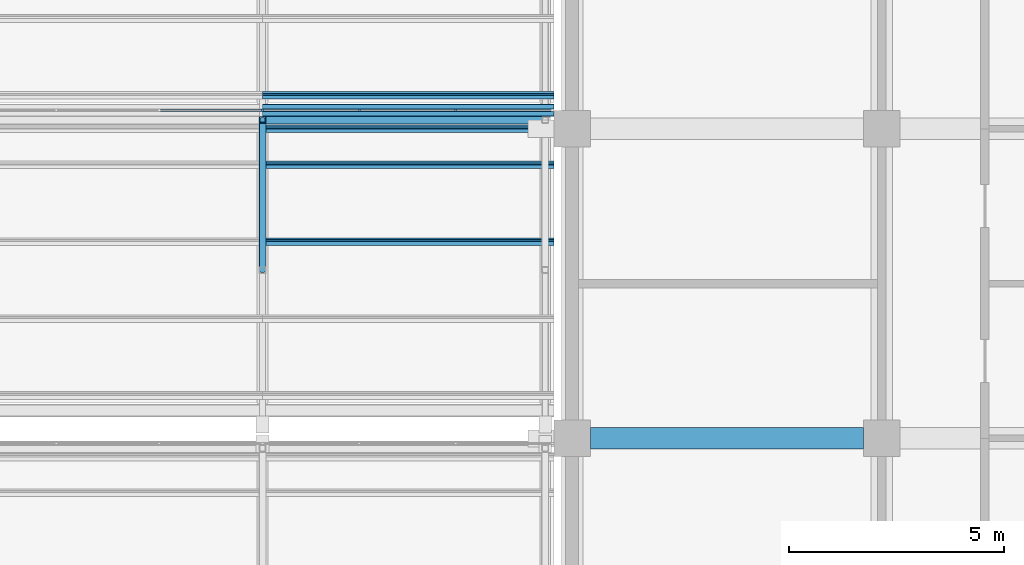
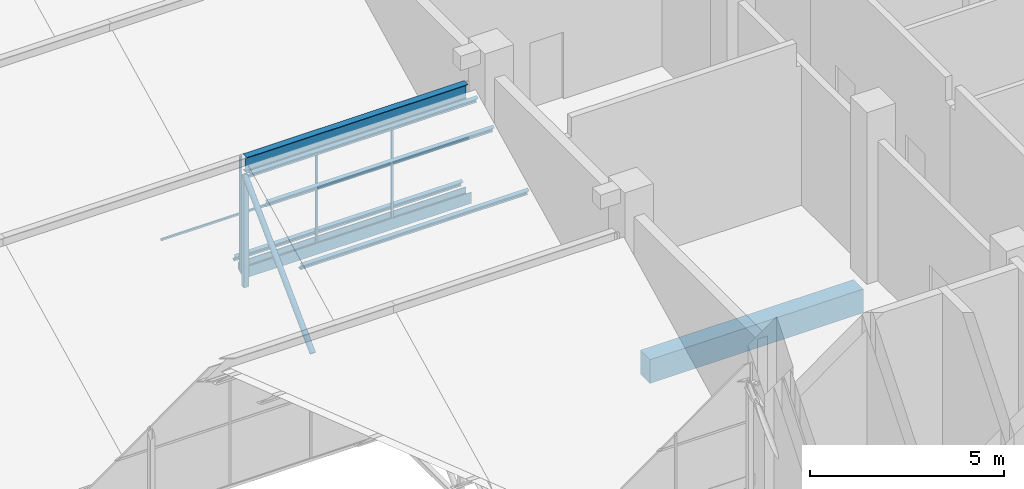
# One storey, part 52 of 83: 15 members, 1 beam, 2 elements without a shape of their own.
"""IFC4 building model written with IfcOpenShell, lengths in metres."""

from ifc_helpers import new_model, si_unit, direction, frame, origin, origin_2d, place, context, subcontext, project, spatial, polyline, rectangle, hollow_rectangle, hollow_circle, i_section, outline, extrude, material, material_profile, profile_set, type_object, element, aggregate, save


model = new_model("IFC4")

# Units and contexts
model_context = context("Model", 3, precision=1e-05, world=origin(), true_north=direction((0.0, 1.0)))
body_context = subcontext(model_context, "Body", "Model", "MODEL_VIEW")
ifc_project = project(units=[si_unit("LENGTHUNIT", "METRE"), si_unit("AREAUNIT", "SQUARE_METRE"), si_unit("VOLUMEUNIT", "CUBIC_METRE"), si_unit("PLANEANGLEUNIT", "RADIAN"), si_unit("MASSUNIT", "GRAM", prefix="KILO")], contexts=[model_context])

# Site, building, storey
site_placement = place(None, origin())
site = spatial("IfcSite", under=ifc_project, at=site_placement, CompositionType="ELEMENT")
building_placement = place(site_placement, origin())
building = spatial("IfcBuilding", under=site, at=building_placement, Name="Silangan Lancet Faculty of Sciences", CompositionType="ELEMENT")
storey_placement = place(building_placement, frame((0.0, 0.0, 11.39990234375)))
storey = spatial("IfcBuildingStorey", under=building, at=storey_placement, Name="L02", CompositionType="ELEMENT", Elevation=11.39990234375)

# Beam
ifc_material_1 = material(Name="Concrete C40/50", Category="concrete")
ifc_material_profile_1 = material_profile(ifc_material_1, rectangle(XDim=0.5, YDim=0.75, at=origin_2d()), Name="RC 500x750")
ifc_profile_set_1 = profile_set([ifc_material_profile_1], Name="Concrete C40/50")
beam_type = type_object("IfcBeamType", Name="BEAM RC 500x750", PredefinedType="BEAM", material=ifc_profile_set_1)
beam_placement = place(storey_placement, frame((72.425048828125, 36.0, -0.625), z_axis=(1.0, 0.0, 0.0), x_axis=(0.0, 1.0, 0.0)))
element("IfcBeam", 1, at=beam_placement, inside=storey, type_object=beam_type, Name="BM-L02-11F-12F", PredefinedType="BEAM", context=body_context, shape_type="SweptSolid", body=[
    extrude(rectangle(XDim=0.5, YDim=0.75, at=origin_2d()), origin(), (0.0, 0.0, 1.0), 6.349853515625),
])

# Member
ifc_material_2 = material(Name="Steel SS400", Category="steel")
ifc_material_profile_2 = material_profile(ifc_material_2, i_section(OverallWidth=0.199951171875, OverallDepth=0.5, WebThickness=0.010009765625, FlangeThickness=0.01611328125, FilletRadius=0.02001953125, at=origin_2d()), Name="H 500x200x10x16")
ifc_profile_set_2 = profile_set([ifc_material_profile_2], Name="Steel SS400")
member_type_1 = type_object("IfcMemberType", Name="Exposed ridge beam H 500x200x10x16", PredefinedType="MEMBER", material=ifc_profile_set_2)
member_1_placement = place(storey_placement, frame((64.800048828125, 43.40673828125, 3.942626953125), z_axis=(1.0, 0.0, 0.0), x_axis=(0.0, 1.0, 0.0)))
element("IfcMember", 2, at=member_1_placement, inside=storey, type_object=member_type_1, Name="Exposed ridge beam NAB-1-6", PredefinedType="MEMBER", context=body_context, shape_type="SweptSolid", body=[
    extrude(i_section(OverallWidth=0.199951171875, OverallDepth=0.5, WebThickness=0.010009765625, FlangeThickness=0.01611328125, FilletRadius=0.02001953125, at=origin_2d()), origin(), (0.0, 0.0, 1.0), 6.574951171875),
])

# Curtain wall, members
ifc_material_3 = material(Name="Aluminium and laminated glass", Category="aluminium")
curtain_wall_type = type_object("IfcCurtainWallType", Name="North light glazing system", PredefinedType="NOTDEFINED", material=ifc_material_3)
curtain_wall_1_placement = place(storey_placement, origin())
curtain_wall_1 = element("IfcCurtainWall", 3, at=curtain_wall_1_placement, inside=storey, type_object=curtain_wall_type, Name="North light glazing NAB-1-6", PredefinedType="NOTDEFINED")
ifc_material_4 = material(Name="Aluminium 6063-T6", Category="aluminium")
ifc_material_profile_3 = material_profile(ifc_material_4, rectangle(XDim=0.06005859375, YDim=0.050048828125, at=origin_2d()), Name="AL 60x50")
ifc_profile_set_3 = profile_set([ifc_material_profile_3], Name="Aluminium 6063-T6")
member_type_2 = type_object("IfcMemberType", Name="North light mullion 60x50", PredefinedType="MULLION", material=ifc_profile_set_3)
member_2_placement = place(storey_placement, frame((64.800048828125, 43.631591796875, 0.4423828125), z_axis=(0.0, 0.0, 1.0), x_axis=(1.0, 0.0, 0.0)))
member_2 = element("IfcMember", 4, at=member_2_placement, type_object=member_type_2, Name="North light mullion NAB-1-6 1", PredefinedType="MULLION", context=body_context, shape_type="SweptSolid", body=[
    extrude(rectangle(XDim=0.06005859375, YDim=0.050048828125, at=origin_2d()), origin(), (0.0, 0.0, 1.0), 3.60595703125),
])
member_3_placement = place(storey_placement, frame((67.04833984375, 43.631591796875, 0.4423828125), z_axis=(0.0, 0.0, 1.0), x_axis=(1.0, 0.0, 0.0)))
member_3 = element("IfcMember", 5, at=member_3_placement, type_object=member_type_2, Name="North light mullion NAB-1-6 2", PredefinedType="MULLION", context=body_context, shape_type="SweptSolid", body=[
    extrude(rectangle(XDim=0.06005859375, YDim=0.050048828125, at=origin_2d()), origin(), (0.0, 0.0, 1.0), 3.60595703125),
])
member_4_placement = place(storey_placement, frame((69.296630859375, 43.631591796875, 0.4423828125), z_axis=(0.0, 0.0, 1.0), x_axis=(1.0, 0.0, 0.0)))
member_4 = element("IfcMember", 6, at=member_4_placement, type_object=member_type_2, Name="North light mullion NAB-1-6 3", PredefinedType="MULLION", context=body_context, shape_type="SweptSolid", body=[
    extrude(rectangle(XDim=0.06005859375, YDim=0.050048828125, at=origin_2d()), origin(), (0.0, 0.0, 1.0), 3.60595703125),
])

# Curtain wall, member
curtain_wall_2_placement = place(storey_placement, origin())
curtain_wall_2 = element("IfcCurtainWall", 7, at=curtain_wall_2_placement, inside=storey, type_object=curtain_wall_type, Name="North light glazing NAB-1-5", PredefinedType="NOTDEFINED")
ifc_material_5 = material(Name="Aluminium 6063-T6", Category="aluminium")
ifc_material_profile_4 = material_profile(ifc_material_5, rectangle(XDim=0.050048828125, YDim=0.06005859375, at=origin_2d()), Name="AL 50x60")
ifc_profile_set_4 = profile_set([ifc_material_profile_4], Name="Aluminium 6063-T6")
member_type_3 = type_object("IfcMemberType", Name="North light transom 50x60", PredefinedType="USERDEFINED", material=ifc_profile_set_4)
member_5_placement = place(storey_placement, frame((62.429931640625, 43.631591796875, 2.245361328125), z_axis=(1.0, 0.0, 0.0), x_axis=(0.0, 1.0, 0.0)))
member_5 = element("IfcMember", 8, at=member_5_placement, type_object=member_type_3, Name="North light transom NAB-1-5 3", ObjectType="TRANSOM", PredefinedType="USERDEFINED", context=body_context, shape_type="SweptSolid", body=[
    extrude(rectangle(XDim=0.050048828125, YDim=0.06005859375, at=origin_2d()), origin(), (0.0, 0.0, 1.0), 2.340087890625),
])
aggregate(curtain_wall_2, [member_5])

# Member
member_6_placement = place(storey_placement, frame((64.830078125, 43.631591796875, 2.245361328125), z_axis=(1.0, 0.0, 0.0), x_axis=(0.0, 1.0, 0.0)))
member_6 = element("IfcMember", 9, at=member_6_placement, type_object=member_type_3, Name="North light transom NAB-1-6 1", ObjectType="TRANSOM", PredefinedType="USERDEFINED", context=body_context, shape_type="SweptSolid", body=[
    extrude(rectangle(XDim=0.050048828125, YDim=0.06005859375, at=origin_2d()), origin(), (0.0, 0.0, 1.0), 2.188232421875),
])

member_7_placement = place(storey_placement, frame((67.078369140625, 43.631591796875, 2.245361328125), z_axis=(1.0, 0.0, 0.0), x_axis=(0.0, 1.0, 0.0)))
member_7 = element("IfcMember", 10, at=member_7_placement, type_object=member_type_3, Name="North light transom NAB-1-6 2", ObjectType="TRANSOM", PredefinedType="USERDEFINED", context=body_context, shape_type="SweptSolid", body=[
    extrude(rectangle(XDim=0.050048828125, YDim=0.06005859375, at=origin_2d()), origin(), (0.0, 0.0, 1.0), 2.188232421875),
])

member_8_placement = place(storey_placement, frame((69.32666015625, 43.631591796875, 2.245361328125), z_axis=(1.0, 0.0, 0.0), x_axis=(0.0, 1.0, 0.0)))
member_8 = element("IfcMember", 11, at=member_8_placement, type_object=member_type_3, Name="North light transom NAB-1-6 3", ObjectType="TRANSOM", PredefinedType="USERDEFINED", context=body_context, shape_type="SweptSolid", body=[
    extrude(rectangle(XDim=0.050048828125, YDim=0.06005859375, at=origin_2d()), origin(), (0.0, 0.0, 1.0), 2.248291015625),
])

aggregate(curtain_wall_1, [member_2, member_3, member_4, member_6, member_7, member_8])

# Members
ifc_material_6 = material(Name="Steel SS400", Category="steel")
ifc_material_profile_5 = material_profile(ifc_material_6, i_section(OverallWidth=0.10009765625, OverallDepth=0.199951171875, WebThickness=0.005615234375, FlangeThickness=0.008056640625, FilletRadius=0.008056640625, at=origin_2d()), Name="H 200x100x5.5x8")
ifc_profile_set_5 = profile_set([ifc_material_profile_5], Name="Steel SS400")
member_type_4 = type_object("IfcMemberType", Name="Sheeting purlin H 200x100x5.5x8", PredefinedType="PURLIN", material=ifc_profile_set_5)
for number, where, z_axis, x_axis, name in (
    (12, (64.800048828125, 40.572998046875, 2.420654296875), (1.0, 0.0, 0.0), (0.0, 0.894427192382, 0.447213592736), "Sheeting purlin NAB-1-6 3"),
    (13, (64.800048828125, 42.36181640625, 3.31494140625), (1.0, 0.0, 0.0), (0.0, 0.894427192382, 0.447213592736), "Sheeting purlin NAB-1-6 4"),
    (14, (64.800048828125, 43.19873046875, 3.7333984375), (1.0, 0.0, 0.0), (0.0, 0.894427192382, 0.447213592736), "Sheeting purlin NAB-1-6 5"),
    (15, (64.800048828125, 43.976806640625, 0.6318359375), (1.0, 0.0, 0.0), (0.0, 0.894427192382, 0.447213592736), "Sheeting purlin NAB-2-6 1"),
):
    element("IfcMember", number, at=place(storey_placement, frame(where, z_axis=z_axis, x_axis=x_axis)), inside=storey, type_object=member_type_4, Name=name, PredefinedType="PURLIN", context=body_context, shape_type="SweptSolid", body=[
        extrude(i_section(OverallWidth=0.10009765625, OverallDepth=0.199951171875, WebThickness=0.005615234375, FlangeThickness=0.008056640625, FilletRadius=0.008056640625, at=origin_2d()), origin(), (0.0, 0.0, 1.0), 6.77490234375),
    ])
ifc_material_7 = material(Name="Steel STK400", Category="steel")
ifc_material_profile_6 = material_profile(ifc_material_7, hollow_circle(Radius=0.08251953125, WallThickness=0.0048828125, at=origin_2d()), Name="CHS 165.2x5.0")
ifc_profile_set_6 = profile_set([ifc_material_profile_6], Name="Steel STK400")
member_type_5 = type_object("IfcMemberType", Name="Truss diagonal CHS 165.2x5.0", PredefinedType="BRACE", material=ifc_profile_set_6)
member_9_placement = place(storey_placement, frame((64.800048828125, 39.915771484375, 0.09521484375), z_axis=(0.0, 0.707131507361, 0.707082054147), x_axis=(-1.0, 0.0, 0.0)))
element("IfcMember", 16, at=member_9_placement, inside=storey, type_object=member_type_5, Name="Truss 6 diagonal 1", PredefinedType="BRACE", context=body_context, shape_type="SweptSolid", body=[
    extrude(hollow_circle(Radius=0.08251953125, WallThickness=0.0048828125, at=origin_2d()), origin(), (0.0, 0.0, 1.0), 4.936767578125),
])
ifc_material_8 = material(Name="Steel STKR400", Category="steel")
ifc_material_profile_7 = material_profile(ifc_material_8, hollow_rectangle(XDim=0.14990234375, YDim=0.14990234375, WallThickness=0.006103515625, InnerFilletRadius=0.006103515625, OuterFilletRadius=0.011962890625, at=origin_2d()), Name="SHS 150x150x6.0")
ifc_profile_set_7 = profile_set([ifc_material_profile_7], Name="Steel STKR400")
member_type_6 = type_object("IfcMemberType", Name="Truss post SHS 150x150x6.0", PredefinedType="POST", material=ifc_profile_set_7)
member_10_placement = place(storey_placement, frame((64.800048828125, 43.40673828125, 0.09521484375), z_axis=(0.0, 0.0, 1.0), x_axis=(1.0, 0.0, 0.0)))
element("IfcMember", 17, at=member_10_placement, inside=storey, type_object=member_type_6, Name="Truss 6 riser post 1", PredefinedType="POST", context=body_context, shape_type="SweptSolid", body=[
    extrude(hollow_rectangle(XDim=0.14990234375, YDim=0.14990234375, WallThickness=0.006103515625, InnerFilletRadius=0.006103515625, OuterFilletRadius=0.011962890625, at=origin_2d()), origin(), (0.0, 0.0, 1.0), 3.49072265625),
])
ifc_material_9 = material(Name="Stainless steel", Category="steel")
ifc_material_profile_8 = material_profile(ifc_material_9, outline(polyline([(-0.14990234375, 0.0), (0.14990234375, 0.14990234375), (0.14990234375, 0.35009765625), (0.1298828125, 0.35009765625), (0.1298828125, 0.169921875), (-0.1298828125, 0.169921875), (-0.1298828125, 0.35009765625), (-0.14990234375, 0.35009765625), (-0.14990234375, 0.0)])), Name="valley gutter")
ifc_profile_set_8 = profile_set([ifc_material_profile_8], Name="Stainless steel")
member_type_7 = type_object("IfcMemberType", Name="Valley gutter 300 wide", PredefinedType="USERDEFINED", material=ifc_profile_set_8)
member_11_placement = place(storey_placement, frame((64.800048828125, 43.631591796875, 0.2724609375), z_axis=(1.0, 0.0, 0.0), x_axis=(0.0, 1.0, 0.0)))
element("IfcMember", 18, at=member_11_placement, inside=storey, type_object=member_type_7, Name="Valley gutter NAB-2-6", ObjectType="GUTTER", PredefinedType="USERDEFINED", context=body_context, shape_type="SweptSolid", body=[
    extrude(outline(polyline([(-0.14990234375, 0.0), (0.14990234375, 0.14990234375), (0.14990234375, 0.35009765625), (0.1298828125, 0.35009765625), (0.1298828125, 0.169921875), (-0.1298828125, 0.169921875), (-0.1298828125, 0.35009765625), (-0.14990234375, 0.35009765625), (-0.14990234375, 0.0)])), origin(), (0.0, 0.0, 1.0), 6.77490234375),
])

save(model, "model.ifc")
